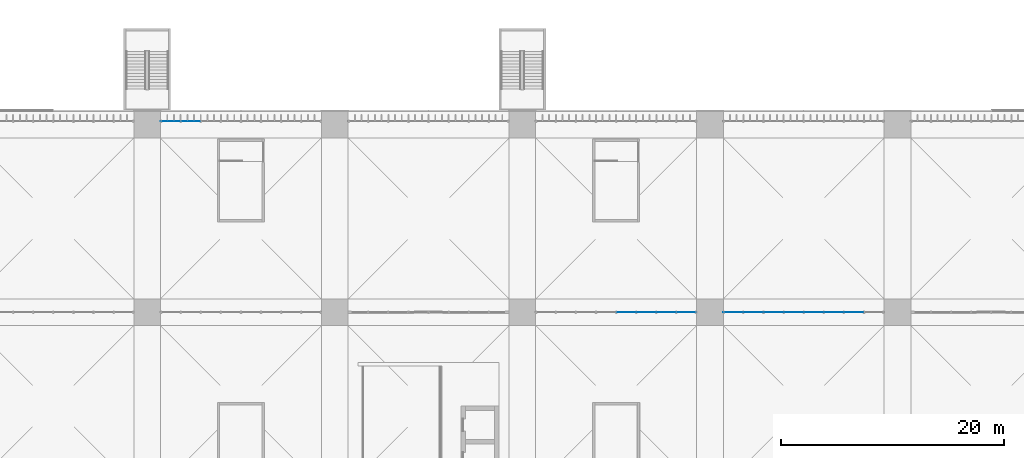
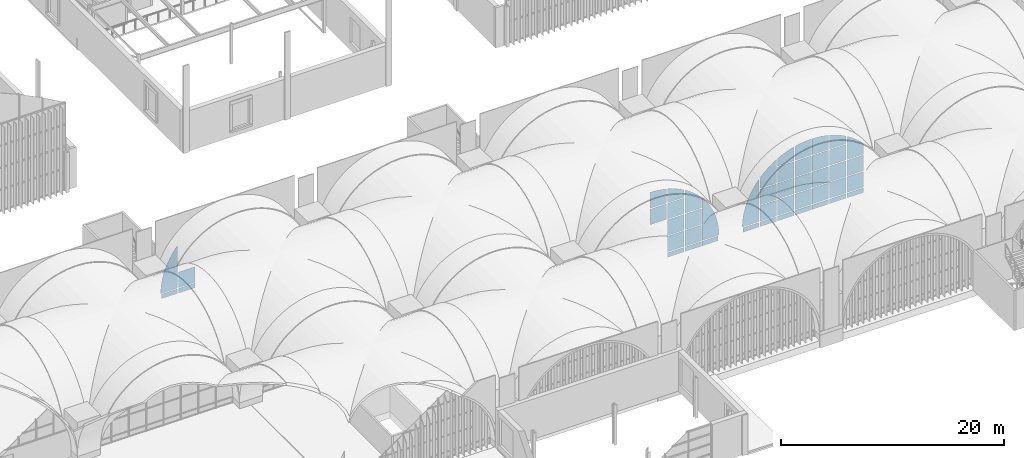
# One storey, part 85 of 169: 47 plates, 3 elements without a shape of their own.
"""IFC4 building model written with IfcOpenShell, lengths in metres."""

import ifcopenshell
import ifcopenshell.guid

model = None  # the IFC model being written
_history = None  # IfcOwnerHistory: only IFC2X3 demands one
_inside = {}  # id of a spatial element -> (the spatial element, [elements in it])
_under = {}  # id of a project, library or spatial element -> (it, [spatial elements below it])
_declared = {}  # id of a project -> (the project, [libraries it declares])
_typed = {}  # id of a type object -> (the type object, [elements of that type])
_made_of = {}  # id of a material, layer set ... -> (it, [elements and type objects made of it])


def new_model(schema):
    """Start an empty IFC model of exactly this schema.

    Asked for "IFC4X3", IfcOpenShell would pick the latest addendum, in which some entities
    have other attributes; the version numbers below select the first issue.
    IFC2X3 requires an IfcOwnerHistory on every rooted entity: one is made here for all.
    """
    global model, _history
    if schema == "IFC4X3":
        model = ifcopenshell.file(schema_version=(4, 3, 0, 0))
    else:
        model = ifcopenshell.file(schema=schema)
    _inside.clear()
    _under.clear()
    _declared.clear()
    _typed.clear()
    _made_of.clear()
    _history = None
    if model.schema == "IFC2X3":
        org = make("IfcOrganization", Name="unknown")
        user = make(
            "IfcPersonAndOrganization",
            ThePerson=make("IfcPerson", FamilyName="unknown"),
            TheOrganization=org,
        )
        app = make(
            "IfcApplication",
            ApplicationDeveloper=org,
            Version="unknown",
            ApplicationFullName="unknown",
            ApplicationIdentifier="unknown",
        )
        _history = make(
            "IfcOwnerHistory",
            OwningUser=user,
            OwningApplication=app,
            ChangeAction="ADDED",
            CreationDate=0,
        )
    return model


def make(cls, **values):
    """One entity of the class cls with the attributes given. An attribute that is None is left unset."""
    return model.create_entity(
        cls, **{name: value for name, value in values.items() if value is not None}
    )


def rooted(cls, **values):
    """An entity with a GlobalId (a new one), such as an element, a storey or a relation."""
    return make(cls, GlobalId=ifcopenshell.guid.new(), OwnerHistory=_history, **values)


def si_unit(unit_type, name, prefix=None):
    """IfcSIUnit, for example si_unit("LENGTHUNIT", "METRE", prefix="MILLI")."""
    return make("IfcSIUnit", UnitType=unit_type, Prefix=prefix, Name=name)


def assignment(units):
    """IfcUnitAssignment: the units of a project."""
    return None if units is None else make("IfcUnitAssignment", Units=units)


def point(xyz):
    """IfcCartesianPoint."""
    return None if xyz is None else make("IfcCartesianPoint", Coordinates=xyz)


def direction(xyz):
    """IfcDirection."""
    return None if xyz is None else make("IfcDirection", DirectionRatios=xyz)


def frame(location, z_axis=None, x_axis=None):
    """IfcAxis2Placement3D, a coordinate frame: its origin and axes. An axis left out is left unset."""
    return make(
        "IfcAxis2Placement3D",
        Location=point(location),
        Axis=direction(z_axis),
        RefDirection=direction(x_axis),
    )


def origin():
    """The frame at (0, 0, 0) with its axes left unset."""
    return frame((0.0, 0.0, 0.0))


def place(relative_to, where):
    """IfcLocalPlacement: puts the frame where relative to a parent placement (None: the world)."""
    return make(
        "IfcLocalPlacement", PlacementRelTo=relative_to, RelativePlacement=where
    )


def context(
    kind, dimensions, precision=None, world=None, true_north=None, identifier=None
):
    """IfcGeometricRepresentationContext, for example the 3D "Model" context."""
    return make(
        "IfcGeometricRepresentationContext",
        ContextIdentifier=identifier,
        ContextType=kind,
        CoordinateSpaceDimension=dimensions,
        Precision=precision,
        WorldCoordinateSystem=world,
        TrueNorth=true_north,
    )


def subcontext(parent, identifier, kind, view, scale=None):
    """IfcGeometricRepresentationSubContext, for example "Body" below "Model"."""
    return make(
        "IfcGeometricRepresentationSubContext",
        ContextIdentifier=identifier,
        ContextType=kind,
        ParentContext=parent,
        TargetScale=scale,
        TargetView=view,
    )


def project(units=None, contexts=None):
    """IfcProject with its units and contexts."""
    return rooted(
        "IfcProject",
        Name="project",
        RepresentationContexts=contexts,
        UnitsInContext=assignment(units),
    )


def spatial(cls, under=None, at=None, **own):
    """A site, building, storey or space (cls), placed at a placement, below another one or the project."""
    s = rooted(cls, ObjectPlacement=at, **own)
    if under is not None:
        _under.setdefault(under.id(), (under, []))[1].append(s)
    return s


def polyline(points):
    """IfcPolyline through the points."""
    return make("IfcPolyline", Points=[point(p) for p in points])


def outline(outer, holes=None, kind="AREA"):
    """IfcArbitraryClosedProfileDef: a profile drawn as a closed curve; with holes, ...WithVoids."""
    if holes is None:
        return make("IfcArbitraryClosedProfileDef", ProfileType=kind, OuterCurve=outer)
    return make(
        "IfcArbitraryProfileDefWithVoids",
        ProfileType=kind,
        OuterCurve=outer,
        InnerCurves=holes,
    )


def extrude(swept, where, along, depth):
    """IfcExtrudedAreaSolid: the profile swept, set in the frame where, extruded along a direction by depth."""
    return make(
        "IfcExtrudedAreaSolid",
        SweptArea=swept,
        Position=where,
        ExtrudedDirection=direction(along),
        Depth=depth,
    )


def shape(context_of_items, identifier, shape_type, items):
    """IfcShapeRepresentation: the items that make up one representation, for example the "Body"."""
    return make(
        "IfcShapeRepresentation",
        ContextOfItems=context_of_items,
        RepresentationIdentifier=identifier,
        RepresentationType=shape_type,
        Items=items,
    )


def material(Name=None, Category=None):
    """IfcMaterial."""
    return make("IfcMaterial", Name=Name, Category=Category)


def layer(
    of_material, thickness, ventilated=None, Name=None, Category=None, Priority=None
):
    """IfcMaterialLayer: one layer of a wall or slab, of a material (None: an air gap)."""
    return make(
        "IfcMaterialLayer",
        Material=of_material,
        LayerThickness=thickness,
        IsVentilated=ventilated,
        Name=Name,
        Category=Category,
        Priority=Priority,
    )


def layer_set(layers, Name=None):
    """IfcMaterialLayerSet."""
    return make("IfcMaterialLayerSet", MaterialLayers=layers, LayerSetName=Name)


def made_of(thing, what):
    """Note that an element or type object is made of a material, layer set ...; save() writes the relation."""
    if what is not None:
        _made_of.setdefault(what.id(), (what, []))[1].append(thing)
    return thing


def type_object(cls, material=None, **own):
    """A type object (cls), such as IfcWallType, which elements share."""
    return made_of(rooted(cls, **own), material)


def element(
    cls,
    number,
    at=None,
    inside=None,
    cuts=None,
    type_object=None,
    material=None,
    context=None,
    identifier="Body",
    shape_type=None,
    held_by="IfcProductDefinitionShape",
    body=None,
    shapes=None,
    **own,
):
    """One element of the class cls, such as IfcWall. Its Tag is "e" and its number.

    at: its placement. inside: the storey or other place that contains it. cuts: it is an
    opening in that element (IfcRelVoidsElement). A single representation is given by context,
    identifier, shape_type and body (its items); several are given by shapes. held_by: the class
    of the entity that holds the representations. save() writes the other relations.
    """
    e = rooted(cls, Tag="e%d" % number, ObjectPlacement=at, **own)
    if body is not None:
        shapes = [shape(context, identifier, shape_type, body)]
    if shapes is not None:
        e.Representation = make(held_by, Representations=shapes)
    if inside is not None:
        _inside.setdefault(inside.id(), (inside, []))[1].append(e)
    if cuts is not None:
        rooted(
            "IfcRelVoidsElement", RelatingBuildingElement=cuts, RelatedOpeningElement=e
        )
    if type_object is not None:
        _typed.setdefault(type_object.id(), (type_object, []))[1].append(e)
    return made_of(e, material)


def aggregate(whole, parts):
    """IfcRelAggregates: a whole, such as a stair, and the parts it consists of."""
    return rooted("IfcRelAggregates", RelatingObject=whole, RelatedObjects=parts)


def save(model, path):
    """Write the relations noted so far, then the file.

    IfcRelAggregates (storeys below a building ...), IfcRelContainedInSpatialStructure (elements
    in a storey), IfcRelDefinesByType, IfcRelAssociatesMaterial and IfcRelDeclares: one each for
    every whole, place, type object, material and project.
    """
    for whole, parts in _under.values():
        aggregate(whole, parts)
    for where, things in _inside.values():
        rooted(
            "IfcRelContainedInSpatialStructure",
            RelatedElements=things,
            RelatingStructure=where,
        )
    for kind, things in _typed.values():
        rooted("IfcRelDefinesByType", RelatedObjects=things, RelatingType=kind)
    for what, things in _made_of.values():
        rooted("IfcRelAssociatesMaterial", RelatedObjects=things, RelatingMaterial=what)
    for by, libraries in _declared.values():
        rooted("IfcRelDeclares", RelatingContext=by, RelatedDefinitions=libraries)
    model.write(path)


model = new_model("IFC4")

# Units and contexts
model_context = context("Model", 3, precision=1e-05, world=origin(), true_north=direction((0.0, 1.0)))
body_context = subcontext(model_context, "Body", "Model", "MODEL_VIEW")
ifc_project = project(units=[si_unit("LENGTHUNIT", "METRE"), si_unit("AREAUNIT", "SQUARE_METRE"), si_unit("VOLUMEUNIT", "CUBIC_METRE"), si_unit("PLANEANGLEUNIT", "RADIAN"), si_unit("MASSUNIT", "GRAM", prefix="KILO")], contexts=[model_context])

# Site, building, storey
site_placement = place(None, origin())
site = spatial("IfcSite", under=ifc_project, at=site_placement, CompositionType="ELEMENT")
building_placement = place(site_placement, origin())
building = spatial("IfcBuilding", under=site, at=building_placement, Name="Verrick Yard Athletic Hall", CompositionType="ELEMENT")
storey_placement = place(building_placement, frame((0.0, 0.0, 4.39990234375)))
storey = spatial("IfcBuildingStorey", under=building, at=storey_placement, Name="L01", CompositionType="ELEMENT", Elevation=4.39990234375)

# Curtain wall, plates
ifc_material_1 = material(Name="Aluminium and glass curtain wall", Category="aluminium")
ifc_layer_1 = layer(ifc_material_1, 0.14990234375)
ifc_layer_set_1 = layer_set([ifc_layer_1], Name="Arcade glazing arch")
curtain_wall_type_1 = type_object("IfcCurtainWallType", Name="Arcade glazing arch", PredefinedType="NOTDEFINED", material=ifc_layer_set_1)
curtain_wall_1_placement = place(storey_placement, origin())
curtain_wall_1 = element("IfcCurtainWall", 1, at=curtain_wall_1_placement, inside=storey, type_object=curtain_wall_type_1, Name="Arcade glazing N3", PredefinedType="NOTDEFINED")
ifc_material_2 = material(Name="Laminated glass 28 mm", Category="glass")
ifc_layer_2 = layer(ifc_material_2, 0.028076171875)
ifc_layer_set_2 = layer_set([ifc_layer_2], Name="Curtain wall glass panel")
plate_type = type_object("IfcPlateType", Name="Curtain wall glass panel", PredefinedType="CURTAIN_PANEL", material=ifc_layer_set_2)
plate_1_placement = place(storey_placement, frame((74.800048828125, 53.10009765625, 0.101806640625), z_axis=(0.0, 0.0, 1.0), x_axis=(1.0, 0.0, 0.0)))
plate_1 = element("IfcPlate", 2, at=plate_1_placement, type_object=plate_type, Name="Arcade glazing N3 panel 1", PredefinedType="CURTAIN_PANEL", context=body_context, shape_type="SweptSolid", body=[
    extrude(outline(polyline([(1.749267578125, 0.0), (1.749267578125, 0.49755859375), (0.10205078125, 0.49755859375), (0.10205078125, 0.0), (1.749267578125, 0.0)])), frame((0.0, 0.01416015625, 0.0), z_axis=(0.0, -1.0, 0.0), x_axis=(1.0, 0.0, 0.0)), (0.0, 0.0, 1.0), 0.028076171875),
])
plate_2_placement = place(storey_placement, frame((74.800048828125, 53.10009765625, 0.700927734375), z_axis=(0.0, 0.0, 1.0), x_axis=(1.0, 0.0, 0.0)))
plate_2 = element("IfcPlate", 3, at=plate_2_placement, type_object=plate_type, Name="Arcade glazing N3 panel 2", PredefinedType="CURTAIN_PANEL", context=body_context, shape_type="SweptSolid", body=[
    extrude(outline(polyline([(1.749267578125, 4.651123046875), (1.6845703125, 4.5771484375), (1.48779296875, 4.332275390625), (1.302001953125, 4.078857421875), (1.127685546875, 3.81787109375), (0.964599609375, 3.549072265625), (0.8134765625, 3.273681640625), (0.674560546875, 2.9921875), (0.548095703125, 2.70458984375), (0.43408203125, 2.41162109375), (0.333251953125, 2.1142578125), (0.245361328125, 1.812744140625), (0.170654296875, 1.507568359375), (0.109375, 1.199462890625), (0.0615234375, 0.888916015625), (0.02734375, 0.57666015625), (0.0068359375, 0.26318359375), (0.001220703125, 0.0), (1.749267578125, 0.0), (1.749267578125, 4.651123046875)])), frame((0.0, 0.01416015625, 0.0), z_axis=(0.0, -1.0, 0.0), x_axis=(1.0, 0.0, 0.0)), (0.0, 0.0, 1.0), 0.028076171875),
])
plate_3_placement = place(storey_placement, frame((74.800048828125, 53.10009765625, 0.101806640625), z_axis=(0.0, 0.0, 1.0), x_axis=(1.0, 0.0, 0.0)))
plate_3 = element("IfcPlate", 4, at=plate_3_placement, type_object=plate_type, Name="Arcade glazing N3 panel 3", PredefinedType="CURTAIN_PANEL", context=body_context, shape_type="SweptSolid", body=[
    extrude(outline(polyline([(3.54931640625, 0.0), (3.54931640625, 0.49755859375), (1.850830078125, 0.49755859375), (1.850830078125, 0.0), (3.54931640625, 0.0)])), frame((0.0, 0.01416015625, 0.0), z_axis=(0.0, -1.0, 0.0), x_axis=(1.0, 0.0, 0.0)), (0.0, 0.0, 1.0), 0.028076171875),
])
plate_4_placement = place(storey_placement, frame((74.800048828125, 53.10009765625, 0.700927734375), z_axis=(0.0, 0.0, 1.0), x_axis=(1.0, 0.0, 0.0)))
plate_4 = element("IfcPlate", 5, at=plate_4_placement, type_object=plate_type, Name="Arcade glazing N3 panel 4", PredefinedType="CURTAIN_PANEL", context=body_context, shape_type="SweptSolid", body=[
    extrude(outline(polyline([(3.54931640625, 0.0), (3.54931640625, 1.698486328125), (1.850830078125, 1.698486328125), (1.850830078125, 0.0), (3.54931640625, 0.0)])), frame((0.0, 0.01416015625, 0.0), z_axis=(0.0, -1.0, 0.0), x_axis=(1.0, 0.0, 0.0)), (0.0, 0.0, 1.0), 0.028076171875),
])
aggregate(curtain_wall_1, [plate_1, plate_2, plate_3, plate_4])

ifc_layer_3 = layer(ifc_material_1, 0.14990234375)
ifc_layer_set_3 = layer_set([ifc_layer_3], Name="Concourse arch screen")
curtain_wall_type_2 = type_object("IfcCurtainWallType", Name="Concourse arch screen", PredefinedType="NOTDEFINED", material=ifc_layer_set_3)
curtain_wall_2_placement = place(storey_placement, origin())
curtain_wall_2 = element("IfcCurtainWall", 6, at=curtain_wall_2_placement, inside=storey, type_object=curtain_wall_type_2, Name="Concourse screen 5", PredefinedType="NOTDEFINED")
plate_5_placement = place(storey_placement, frame((108.39990234375, 36.0, 4.30078125), z_axis=(0.0, 0.0, 1.0), x_axis=(1.0, 0.0, 0.0)))
plate_5 = element("IfcPlate", 7, at=plate_5_placement, type_object=plate_type, Name="Concourse screen 5 panel 20", PredefinedType="CURTAIN_PANEL", context=body_context, shape_type="SweptSolid", body=[
    extrude(outline(polyline([(8.94921875, 0.0), (8.94921875, 1.698486328125), (7.250732421875, 1.698486328125), (7.250732421875, 0.0), (8.94921875, 0.0)])), frame((0.0, 0.01416015625, 0.0), z_axis=(0.0, -1.0, 0.0), x_axis=(1.0, 0.0, 0.0)), (0.0, 0.0, 1.0), 0.028076171875),
])
plate_6_placement = place(storey_placement, frame((108.39990234375, 36.0, 6.100830078125), z_axis=(0.0, 0.0, 1.0), x_axis=(1.0, 0.0, 0.0)))
plate_6 = element("IfcPlate", 8, at=plate_6_placement, type_object=plate_type, Name="Concourse screen 5 panel 21", PredefinedType="CURTAIN_PANEL", context=body_context, shape_type="SweptSolid", body=[
    extrude(outline(polyline([(8.94921875, 1.531982421875), (8.75830078125, 1.57861328125), (8.4501953125, 1.639892578125), (8.139892578125, 1.687744140625), (7.827392578125, 1.721923828125), (7.51416015625, 1.742431640625), (7.250732421875, 1.748046875), (7.250732421875, 0.0), (8.94921875, 0.0), (8.94921875, 1.531982421875)])), frame((0.0, 0.01416015625, 0.0), z_axis=(0.0, -1.0, 0.0), x_axis=(1.0, 0.0, 0.0)), (0.0, 0.0, 1.0), 0.028076171875),
])
plate_7_placement = place(storey_placement, frame((108.39990234375, 36.0, 0.101806640625), z_axis=(0.0, 0.0, 1.0), x_axis=(1.0, 0.0, 0.0)))
plate_7 = element("IfcPlate", 9, at=plate_7_placement, type_object=plate_type, Name="Concourse screen 5 panel 22", PredefinedType="CURTAIN_PANEL", context=body_context, shape_type="SweptSolid", body=[
    extrude(outline(polyline([(10.749267578125, 0.0), (10.749267578125, 0.49755859375), (9.05078125, 0.49755859375), (9.05078125, 0.0), (10.749267578125, 0.0)])), frame((0.0, 0.01416015625, 0.0), z_axis=(0.0, -1.0, 0.0), x_axis=(1.0, 0.0, 0.0)), (0.0, 0.0, 1.0), 0.028076171875),
])
plate_8_placement = place(storey_placement, frame((108.39990234375, 36.0, 0.700927734375), z_axis=(0.0, 0.0, 1.0), x_axis=(1.0, 0.0, 0.0)))
plate_8 = element("IfcPlate", 10, at=plate_8_placement, type_object=plate_type, Name="Concourse screen 5 panel 23", PredefinedType="CURTAIN_PANEL", context=body_context, shape_type="SweptSolid", body=[
    extrude(outline(polyline([(10.749267578125, 0.0), (10.749267578125, 1.698486328125), (9.05078125, 1.698486328125), (9.05078125, 0.0), (10.749267578125, 0.0)])), frame((0.0, 0.01416015625, 0.0), z_axis=(0.0, -1.0, 0.0), x_axis=(1.0, 0.0, 0.0)), (0.0, 0.0, 1.0), 0.028076171875),
])
plate_9_placement = place(storey_placement, frame((108.39990234375, 36.0, 2.5009765625), z_axis=(0.0, 0.0, 1.0), x_axis=(1.0, 0.0, 0.0)))
plate_9 = element("IfcPlate", 11, at=plate_9_placement, type_object=plate_type, Name="Concourse screen 5 panel 24", PredefinedType="CURTAIN_PANEL", context=body_context, shape_type="SweptSolid", body=[
    extrude(outline(polyline([(10.749267578125, 0.0), (10.749267578125, 1.6982421875), (9.05078125, 1.6982421875), (9.05078125, 0.0), (10.749267578125, 0.0)])), frame((0.0, 0.01416015625, 0.0), z_axis=(0.0, -1.0, 0.0), x_axis=(1.0, 0.0, 0.0)), (0.0, 0.0, 1.0), 0.028076171875),
])
plate_10_placement = place(storey_placement, frame((108.39990234375, 36.0, 4.30078125), z_axis=(0.0, 0.0, 1.0), x_axis=(1.0, 0.0, 0.0)))
plate_10 = element("IfcPlate", 12, at=plate_10_placement, type_object=plate_type, Name="Concourse screen 5 panel 25", PredefinedType="CURTAIN_PANEL", context=body_context, shape_type="SweptSolid", body=[
    extrude(outline(polyline([(10.749267578125, 0.0), (10.749267578125, 1.698486328125), (9.05078125, 1.698486328125), (9.05078125, 0.0), (10.749267578125, 0.0)])), frame((0.0, 0.01416015625, 0.0), z_axis=(0.0, -1.0, 0.0), x_axis=(1.0, 0.0, 0.0)), (0.0, 0.0, 1.0), 0.028076171875),
])
plate_11_placement = place(storey_placement, frame((108.39990234375, 36.0, 6.100830078125), z_axis=(0.0, 0.0, 1.0), x_axis=(1.0, 0.0, 0.0)))
plate_11 = element("IfcPlate", 13, at=plate_11_placement, type_object=plate_type, Name="Concourse screen 5 panel 26", PredefinedType="CURTAIN_PANEL", context=body_context, shape_type="SweptSolid", body=[
    extrude(outline(polyline([(10.749267578125, 0.8125), (10.524658203125, 0.935791015625), (10.242919921875, 1.07470703125), (9.955322265625, 1.201171875), (9.66259765625, 1.315185546875), (9.364990234375, 1.416015625), (9.0634765625, 1.50390625), (9.05078125, 1.507080078125), (9.05078125, 0.0), (10.749267578125, 0.0), (10.749267578125, 0.8125)])), frame((0.0, 0.01416015625, 0.0), z_axis=(0.0, -1.0, 0.0), x_axis=(1.0, 0.0, 0.0)), (0.0, 0.0, 1.0), 0.028076171875),
])
plate_12_placement = place(storey_placement, frame((108.39990234375, 36.0, 0.101806640625), z_axis=(0.0, 0.0, 1.0), x_axis=(1.0, 0.0, 0.0)))
plate_12 = element("IfcPlate", 14, at=plate_12_placement, type_object=plate_type, Name="Concourse screen 5 panel 27", PredefinedType="CURTAIN_PANEL", context=body_context, shape_type="SweptSolid", body=[
    extrude(outline(polyline([(12.54931640625, 0.0), (12.54931640625, 0.49755859375), (10.850830078125, 0.49755859375), (10.850830078125, 0.0), (12.54931640625, 0.0)])), frame((0.0, 0.01416015625, 0.0), z_axis=(0.0, -1.0, 0.0), x_axis=(1.0, 0.0, 0.0)), (0.0, 0.0, 1.0), 0.028076171875),
])
plate_13_placement = place(storey_placement, frame((108.39990234375, 36.0, 0.700927734375), z_axis=(0.0, 0.0, 1.0), x_axis=(1.0, 0.0, 0.0)))
plate_13 = element("IfcPlate", 15, at=plate_13_placement, type_object=plate_type, Name="Concourse screen 5 panel 28", PredefinedType="CURTAIN_PANEL", context=body_context, shape_type="SweptSolid", body=[
    extrude(outline(polyline([(12.54931640625, 0.0), (12.54931640625, 1.698486328125), (10.850830078125, 1.698486328125), (10.850830078125, 0.0), (12.54931640625, 0.0)])), frame((0.0, 0.01416015625, 0.0), z_axis=(0.0, -1.0, 0.0), x_axis=(1.0, 0.0, 0.0)), (0.0, 0.0, 1.0), 0.028076171875),
])
plate_14_placement = place(storey_placement, frame((108.39990234375, 36.0, 2.5009765625), z_axis=(0.0, 0.0, 1.0), x_axis=(1.0, 0.0, 0.0)))
plate_14 = element("IfcPlate", 16, at=plate_14_placement, type_object=plate_type, Name="Concourse screen 5 panel 29", PredefinedType="CURTAIN_PANEL", context=body_context, shape_type="SweptSolid", body=[
    extrude(outline(polyline([(12.54931640625, 0.0), (12.54931640625, 1.6982421875), (10.850830078125, 1.6982421875), (10.850830078125, 0.0), (12.54931640625, 0.0)])), frame((0.0, 0.01416015625, 0.0), z_axis=(0.0, -1.0, 0.0), x_axis=(1.0, 0.0, 0.0)), (0.0, 0.0, 1.0), 0.028076171875),
])
plate_15_placement = place(storey_placement, frame((108.39990234375, 36.0, 4.30078125), z_axis=(0.0, 0.0, 1.0), x_axis=(1.0, 0.0, 0.0)))
plate_15 = element("IfcPlate", 17, at=plate_15_placement, type_object=plate_type, Name="Concourse screen 5 panel 30", PredefinedType="CURTAIN_PANEL", context=body_context, shape_type="SweptSolid", body=[
    extrude(outline(polyline([(12.54931640625, 1.1669921875), (12.50830078125, 1.213623046875), (12.291259765625, 1.4404296875), (12.064208984375, 1.65771484375), (11.828125, 1.86474609375), (11.5830078125, 2.0615234375), (11.329833984375, 2.247314453125), (11.068603515625, 2.421630859375), (10.850830078125, 2.553955078125), (10.850830078125, 0.0), (12.54931640625, 0.0), (12.54931640625, 1.1669921875)])), frame((0.0, 0.01416015625, 0.0), z_axis=(0.0, -1.0, 0.0), x_axis=(1.0, 0.0, 0.0)), (0.0, 0.0, 1.0), 0.028076171875),
])
plate_16_placement = place(storey_placement, frame((108.39990234375, 36.0, 0.101806640625), z_axis=(0.0, 0.0, 1.0), x_axis=(1.0, 0.0, 0.0)))
plate_16 = element("IfcPlate", 18, at=plate_16_placement, type_object=plate_type, Name="Concourse screen 5 panel 31", PredefinedType="CURTAIN_PANEL", context=body_context, shape_type="SweptSolid", body=[
    extrude(outline(polyline([(14.2978515625, 0.0), (14.2978515625, 0.49755859375), (12.65087890625, 0.49755859375), (12.65087890625, 0.0), (14.2978515625, 0.0)])), frame((0.0, 0.01416015625, 0.0), z_axis=(0.0, -1.0, 0.0), x_axis=(1.0, 0.0, 0.0)), (0.0, 0.0, 1.0), 0.028076171875),
])
plate_17_placement = place(storey_placement, frame((108.39990234375, 36.0, 0.700927734375), z_axis=(0.0, 0.0, 1.0), x_axis=(1.0, 0.0, 0.0)))
plate_17 = element("IfcPlate", 19, at=plate_17_placement, type_object=plate_type, Name="Concourse screen 5 panel 32", PredefinedType="CURTAIN_PANEL", context=body_context, shape_type="SweptSolid", body=[
    extrude(outline(polyline([(14.39892578125, 0.0), (14.39306640625, 0.26318359375), (14.37255859375, 0.57666015625), (14.33837890625, 0.888916015625), (14.29052734375, 1.199462890625), (14.229248046875, 1.507568359375), (14.15478515625, 1.812744140625), (14.06689453125, 2.1142578125), (13.9658203125, 2.41162109375), (13.851806640625, 2.70458984375), (13.725341796875, 2.9921875), (13.58642578125, 3.273681640625), (13.435302734375, 3.549072265625), (13.2724609375, 3.81787109375), (13.097900390625, 4.078857421875), (12.912109375, 4.332275390625), (12.715576171875, 4.5771484375), (12.65087890625, 4.651123046875), (12.65087890625, 0.0), (14.39892578125, 0.0)])), frame((0.0, 0.01416015625, 0.0), z_axis=(0.0, -1.0, 0.0), x_axis=(1.0, 0.0, 0.0)), (0.0, 0.0, 1.0), 0.028076171875),
])
aggregate(curtain_wall_2, [plate_5, plate_6, plate_7, plate_8, plate_9, plate_10, plate_11, plate_12, plate_13, plate_14, plate_15, plate_16, plate_17])

curtain_wall_3_placement = place(storey_placement, origin())
curtain_wall_3 = element("IfcCurtainWall", 20, at=curtain_wall_3_placement, inside=storey, type_object=curtain_wall_type_2, Name="Concourse screen 6", PredefinedType="NOTDEFINED")
plate_18_placement = place(storey_placement, frame((125.199951171875, 36.0, 0.101806640625), z_axis=(0.0, 0.0, 1.0), x_axis=(1.0, 0.0, 0.0)))
plate_18 = element("IfcPlate", 21, at=plate_18_placement, type_object=plate_type, Name="Concourse screen 6 panel 1", PredefinedType="CURTAIN_PANEL", context=body_context, shape_type="SweptSolid", body=[
    extrude(outline(polyline([(1.749267578125, 0.0), (1.749267578125, 0.49755859375), (0.10205078125, 0.49755859375), (0.10205078125, 0.0), (1.749267578125, 0.0)])), frame((0.0, 0.01416015625, 0.0), z_axis=(0.0, -1.0, 0.0), x_axis=(1.0, 0.0, 0.0)), (0.0, 0.0, 1.0), 0.028076171875),
])
plate_19_placement = place(storey_placement, frame((125.199951171875, 36.0, 0.700927734375), z_axis=(0.0, 0.0, 1.0), x_axis=(1.0, 0.0, 0.0)))
plate_19 = element("IfcPlate", 22, at=plate_19_placement, type_object=plate_type, Name="Concourse screen 6 panel 2", PredefinedType="CURTAIN_PANEL", context=body_context, shape_type="SweptSolid", body=[
    extrude(outline(polyline([(1.749267578125, 4.651123046875), (1.6845703125, 4.5771484375), (1.48779296875, 4.332275390625), (1.302001953125, 4.078857421875), (1.127685546875, 3.81787109375), (0.964599609375, 3.549072265625), (0.8134765625, 3.273681640625), (0.674560546875, 2.9921875), (0.548095703125, 2.70458984375), (0.43408203125, 2.41162109375), (0.333251953125, 2.1142578125), (0.245361328125, 1.812744140625), (0.170654296875, 1.507568359375), (0.109375, 1.199462890625), (0.0615234375, 0.888916015625), (0.02734375, 0.57666015625), (0.0068359375, 0.26318359375), (0.001220703125, 0.0), (1.749267578125, 0.0), (1.749267578125, 4.651123046875)])), frame((0.0, 0.01416015625, 0.0), z_axis=(0.0, -1.0, 0.0), x_axis=(1.0, 0.0, 0.0)), (0.0, 0.0, 1.0), 0.028076171875),
])
plate_20_placement = place(storey_placement, frame((125.199951171875, 36.0, 0.101806640625), z_axis=(0.0, 0.0, 1.0), x_axis=(1.0, 0.0, 0.0)))
plate_20 = element("IfcPlate", 23, at=plate_20_placement, type_object=plate_type, Name="Concourse screen 6 panel 3", PredefinedType="CURTAIN_PANEL", context=body_context, shape_type="SweptSolid", body=[
    extrude(outline(polyline([(3.54931640625, 0.0), (3.54931640625, 0.49755859375), (1.850830078125, 0.49755859375), (1.850830078125, 0.0), (3.54931640625, 0.0)])), frame((0.0, 0.01416015625, 0.0), z_axis=(0.0, -1.0, 0.0), x_axis=(1.0, 0.0, 0.0)), (0.0, 0.0, 1.0), 0.028076171875),
])
plate_21_placement = place(storey_placement, frame((125.199951171875, 36.0, 0.700927734375), z_axis=(0.0, 0.0, 1.0), x_axis=(1.0, 0.0, 0.0)))
plate_21 = element("IfcPlate", 24, at=plate_21_placement, type_object=plate_type, Name="Concourse screen 6 panel 4", PredefinedType="CURTAIN_PANEL", context=body_context, shape_type="SweptSolid", body=[
    extrude(outline(polyline([(3.54931640625, 0.0), (3.54931640625, 1.698486328125), (1.850830078125, 1.698486328125), (1.850830078125, 0.0), (3.54931640625, 0.0)])), frame((0.0, 0.01416015625, 0.0), z_axis=(0.0, -1.0, 0.0), x_axis=(1.0, 0.0, 0.0)), (0.0, 0.0, 1.0), 0.028076171875),
])
plate_22_placement = place(storey_placement, frame((125.199951171875, 36.0, 2.5009765625), z_axis=(0.0, 0.0, 1.0), x_axis=(1.0, 0.0, 0.0)))
plate_22 = element("IfcPlate", 25, at=plate_22_placement, type_object=plate_type, Name="Concourse screen 6 panel 5", PredefinedType="CURTAIN_PANEL", context=body_context, shape_type="SweptSolid", body=[
    extrude(outline(polyline([(3.54931640625, 0.0), (3.54931640625, 1.6982421875), (1.850830078125, 1.6982421875), (1.850830078125, 0.0), (3.54931640625, 0.0)])), frame((0.0, 0.01416015625, 0.0), z_axis=(0.0, -1.0, 0.0), x_axis=(1.0, 0.0, 0.0)), (0.0, 0.0, 1.0), 0.028076171875),
])
plate_23_placement = place(storey_placement, frame((125.199951171875, 36.0, 4.30078125), z_axis=(0.0, 0.0, 1.0), x_axis=(1.0, 0.0, 0.0)))
plate_23 = element("IfcPlate", 26, at=plate_23_placement, type_object=plate_type, Name="Concourse screen 6 panel 6", PredefinedType="CURTAIN_PANEL", context=body_context, shape_type="SweptSolid", body=[
    extrude(outline(polyline([(3.54931640625, 2.553955078125), (3.331298828125, 2.421630859375), (3.0703125, 2.247314453125), (2.81689453125, 2.0615234375), (2.572021484375, 1.86474609375), (2.335693359375, 1.65771484375), (2.10888671875, 1.4404296875), (1.8916015625, 1.213623046875), (1.850830078125, 1.1669921875), (1.850830078125, 0.0), (3.54931640625, 0.0), (3.54931640625, 2.553955078125)])), frame((0.0, 0.01416015625, 0.0), z_axis=(0.0, -1.0, 0.0), x_axis=(1.0, 0.0, 0.0)), (0.0, 0.0, 1.0), 0.028076171875),
])
plate_24_placement = place(storey_placement, frame((125.199951171875, 36.0, 0.101806640625), z_axis=(0.0, 0.0, 1.0), x_axis=(1.0, 0.0, 0.0)))
plate_24 = element("IfcPlate", 27, at=plate_24_placement, type_object=plate_type, Name="Concourse screen 6 panel 7", PredefinedType="CURTAIN_PANEL", context=body_context, shape_type="SweptSolid", body=[
    extrude(outline(polyline([(5.34912109375, 0.0), (5.34912109375, 0.49755859375), (3.65087890625, 0.49755859375), (3.65087890625, 0.0), (5.34912109375, 0.0)])), frame((0.0, 0.01416015625, 0.0), z_axis=(0.0, -1.0, 0.0), x_axis=(1.0, 0.0, 0.0)), (0.0, 0.0, 1.0), 0.028076171875),
])
plate_25_placement = place(storey_placement, frame((125.199951171875, 36.0, 0.700927734375), z_axis=(0.0, 0.0, 1.0), x_axis=(1.0, 0.0, 0.0)))
plate_25 = element("IfcPlate", 28, at=plate_25_placement, type_object=plate_type, Name="Concourse screen 6 panel 8", PredefinedType="CURTAIN_PANEL", context=body_context, shape_type="SweptSolid", body=[
    extrude(outline(polyline([(5.34912109375, 0.0), (5.34912109375, 1.698486328125), (3.65087890625, 1.698486328125), (3.65087890625, 0.0), (5.34912109375, 0.0)])), frame((0.0, 0.01416015625, 0.0), z_axis=(0.0, -1.0, 0.0), x_axis=(1.0, 0.0, 0.0)), (0.0, 0.0, 1.0), 0.028076171875),
])
plate_26_placement = place(storey_placement, frame((125.199951171875, 36.0, 2.5009765625), z_axis=(0.0, 0.0, 1.0), x_axis=(1.0, 0.0, 0.0)))
plate_26 = element("IfcPlate", 29, at=plate_26_placement, type_object=plate_type, Name="Concourse screen 6 panel 9", PredefinedType="CURTAIN_PANEL", context=body_context, shape_type="SweptSolid", body=[
    extrude(outline(polyline([(5.34912109375, 0.0), (5.34912109375, 1.6982421875), (3.65087890625, 1.6982421875), (3.65087890625, 0.0), (5.34912109375, 0.0)])), frame((0.0, 0.01416015625, 0.0), z_axis=(0.0, -1.0, 0.0), x_axis=(1.0, 0.0, 0.0)), (0.0, 0.0, 1.0), 0.028076171875),
])
plate_27_placement = place(storey_placement, frame((125.199951171875, 36.0, 4.30078125), z_axis=(0.0, 0.0, 1.0), x_axis=(1.0, 0.0, 0.0)))
plate_27 = element("IfcPlate", 30, at=plate_27_placement, type_object=plate_type, Name="Concourse screen 6 panel 10", PredefinedType="CURTAIN_PANEL", context=body_context, shape_type="SweptSolid", body=[
    extrude(outline(polyline([(5.34912109375, 0.0), (5.34912109375, 1.698486328125), (3.65087890625, 1.698486328125), (3.65087890625, 0.0), (5.34912109375, 0.0)])), frame((0.0, 0.01416015625, 0.0), z_axis=(0.0, -1.0, 0.0), x_axis=(1.0, 0.0, 0.0)), (0.0, 0.0, 1.0), 0.028076171875),
])
plate_28_placement = place(storey_placement, frame((125.199951171875, 36.0, 6.100830078125), z_axis=(0.0, 0.0, 1.0), x_axis=(1.0, 0.0, 0.0)))
plate_28 = element("IfcPlate", 31, at=plate_28_placement, type_object=plate_type, Name="Concourse screen 6 panel 11", PredefinedType="CURTAIN_PANEL", context=body_context, shape_type="SweptSolid", body=[
    extrude(outline(polyline([(5.34912109375, 1.507080078125), (5.33642578125, 1.50390625), (5.034912109375, 1.416015625), (4.737548828125, 1.315185546875), (4.444580078125, 1.201171875), (4.156982421875, 1.07470703125), (3.87548828125, 0.935791015625), (3.65087890625, 0.8125), (3.65087890625, 0.0), (5.34912109375, 0.0), (5.34912109375, 1.507080078125)])), frame((0.0, 0.01416015625, 0.0), z_axis=(0.0, -1.0, 0.0), x_axis=(1.0, 0.0, 0.0)), (0.0, 0.0, 1.0), 0.028076171875),
])
plate_29_placement = place(storey_placement, frame((125.199951171875, 36.0, 0.101806640625), z_axis=(0.0, 0.0, 1.0), x_axis=(1.0, 0.0, 0.0)))
plate_29 = element("IfcPlate", 32, at=plate_29_placement, type_object=plate_type, Name="Concourse screen 6 panel 12", PredefinedType="CURTAIN_PANEL", context=body_context, shape_type="SweptSolid", body=[
    extrude(outline(polyline([(7.149169921875, 0.0), (7.149169921875, 0.49755859375), (5.45068359375, 0.49755859375), (5.45068359375, 0.0), (7.149169921875, 0.0)])), frame((0.0, 0.01416015625, 0.0), z_axis=(0.0, -1.0, 0.0), x_axis=(1.0, 0.0, 0.0)), (0.0, 0.0, 1.0), 0.028076171875),
])
plate_30_placement = place(storey_placement, frame((125.199951171875, 36.0, 0.700927734375), z_axis=(0.0, 0.0, 1.0), x_axis=(1.0, 0.0, 0.0)))
plate_30 = element("IfcPlate", 33, at=plate_30_placement, type_object=plate_type, Name="Concourse screen 6 panel 13", PredefinedType="CURTAIN_PANEL", context=body_context, shape_type="SweptSolid", body=[
    extrude(outline(polyline([(7.149169921875, 0.0), (7.149169921875, 1.698486328125), (5.45068359375, 1.698486328125), (5.45068359375, 0.0), (7.149169921875, 0.0)])), frame((0.0, 0.01416015625, 0.0), z_axis=(0.0, -1.0, 0.0), x_axis=(1.0, 0.0, 0.0)), (0.0, 0.0, 1.0), 0.028076171875),
])
plate_31_placement = place(storey_placement, frame((125.199951171875, 36.0, 2.5009765625), z_axis=(0.0, 0.0, 1.0), x_axis=(1.0, 0.0, 0.0)))
plate_31 = element("IfcPlate", 34, at=plate_31_placement, type_object=plate_type, Name="Concourse screen 6 panel 14", PredefinedType="CURTAIN_PANEL", context=body_context, shape_type="SweptSolid", body=[
    extrude(outline(polyline([(7.149169921875, 0.0), (7.149169921875, 1.6982421875), (5.45068359375, 1.6982421875), (5.45068359375, 0.0), (7.149169921875, 0.0)])), frame((0.0, 0.01416015625, 0.0), z_axis=(0.0, -1.0, 0.0), x_axis=(1.0, 0.0, 0.0)), (0.0, 0.0, 1.0), 0.028076171875),
])
plate_32_placement = place(storey_placement, frame((125.199951171875, 36.0, 4.30078125), z_axis=(0.0, 0.0, 1.0), x_axis=(1.0, 0.0, 0.0)))
plate_32 = element("IfcPlate", 35, at=plate_32_placement, type_object=plate_type, Name="Concourse screen 6 panel 15", PredefinedType="CURTAIN_PANEL", context=body_context, shape_type="SweptSolid", body=[
    extrude(outline(polyline([(7.149169921875, 0.0), (7.149169921875, 1.698486328125), (5.45068359375, 1.698486328125), (5.45068359375, 0.0), (7.149169921875, 0.0)])), frame((0.0, 0.01416015625, 0.0), z_axis=(0.0, -1.0, 0.0), x_axis=(1.0, 0.0, 0.0)), (0.0, 0.0, 1.0), 0.028076171875),
])
plate_33_placement = place(storey_placement, frame((125.199951171875, 36.0, 6.100830078125), z_axis=(0.0, 0.0, 1.0), x_axis=(1.0, 0.0, 0.0)))
plate_33 = element("IfcPlate", 36, at=plate_33_placement, type_object=plate_type, Name="Concourse screen 6 panel 16", PredefinedType="CURTAIN_PANEL", context=body_context, shape_type="SweptSolid", body=[
    extrude(outline(polyline([(7.149169921875, 1.748046875), (6.885986328125, 1.742431640625), (6.572509765625, 1.721923828125), (6.26025390625, 1.687744140625), (5.94970703125, 1.639892578125), (5.6416015625, 1.57861328125), (5.45068359375, 1.531982421875), (5.45068359375, 0.0), (7.149169921875, 0.0), (7.149169921875, 1.748046875)])), frame((0.0, 0.01416015625, 0.0), z_axis=(0.0, -1.0, 0.0), x_axis=(1.0, 0.0, 0.0)), (0.0, 0.0, 1.0), 0.028076171875),
])
plate_34_placement = place(storey_placement, frame((125.199951171875, 36.0, 0.101806640625), z_axis=(0.0, 0.0, 1.0), x_axis=(1.0, 0.0, 0.0)))
plate_34 = element("IfcPlate", 37, at=plate_34_placement, type_object=plate_type, Name="Concourse screen 6 panel 17", PredefinedType="CURTAIN_PANEL", context=body_context, shape_type="SweptSolid", body=[
    extrude(outline(polyline([(8.94921875, 0.0), (8.94921875, 0.49755859375), (7.250732421875, 0.49755859375), (7.250732421875, 0.0), (8.94921875, 0.0)])), frame((0.0, 0.01416015625, 0.0), z_axis=(0.0, -1.0, 0.0), x_axis=(1.0, 0.0, 0.0)), (0.0, 0.0, 1.0), 0.028076171875),
])
plate_35_placement = place(storey_placement, frame((125.199951171875, 36.0, 0.700927734375), z_axis=(0.0, 0.0, 1.0), x_axis=(1.0, 0.0, 0.0)))
plate_35 = element("IfcPlate", 38, at=plate_35_placement, type_object=plate_type, Name="Concourse screen 6 panel 18", PredefinedType="CURTAIN_PANEL", context=body_context, shape_type="SweptSolid", body=[
    extrude(outline(polyline([(8.94921875, 0.0), (8.94921875, 1.698486328125), (7.250732421875, 1.698486328125), (7.250732421875, 0.0), (8.94921875, 0.0)])), frame((0.0, 0.01416015625, 0.0), z_axis=(0.0, -1.0, 0.0), x_axis=(1.0, 0.0, 0.0)), (0.0, 0.0, 1.0), 0.028076171875),
])
plate_36_placement = place(storey_placement, frame((125.199951171875, 36.0, 2.5009765625), z_axis=(0.0, 0.0, 1.0), x_axis=(1.0, 0.0, 0.0)))
plate_36 = element("IfcPlate", 39, at=plate_36_placement, type_object=plate_type, Name="Concourse screen 6 panel 19", PredefinedType="CURTAIN_PANEL", context=body_context, shape_type="SweptSolid", body=[
    extrude(outline(polyline([(8.94921875, 0.0), (8.94921875, 1.6982421875), (7.250732421875, 1.6982421875), (7.250732421875, 0.0), (8.94921875, 0.0)])), frame((0.0, 0.01416015625, 0.0), z_axis=(0.0, -1.0, 0.0), x_axis=(1.0, 0.0, 0.0)), (0.0, 0.0, 1.0), 0.028076171875),
])
plate_37_placement = place(storey_placement, frame((125.199951171875, 36.0, 4.30078125), z_axis=(0.0, 0.0, 1.0), x_axis=(1.0, 0.0, 0.0)))
plate_37 = element("IfcPlate", 40, at=plate_37_placement, type_object=plate_type, Name="Concourse screen 6 panel 20", PredefinedType="CURTAIN_PANEL", context=body_context, shape_type="SweptSolid", body=[
    extrude(outline(polyline([(8.94921875, 0.0), (8.94921875, 1.698486328125), (7.250732421875, 1.698486328125), (7.250732421875, 0.0), (8.94921875, 0.0)])), frame((0.0, 0.01416015625, 0.0), z_axis=(0.0, -1.0, 0.0), x_axis=(1.0, 0.0, 0.0)), (0.0, 0.0, 1.0), 0.028076171875),
])
plate_38_placement = place(storey_placement, frame((125.199951171875, 36.0, 6.100830078125), z_axis=(0.0, 0.0, 1.0), x_axis=(1.0, 0.0, 0.0)))
plate_38 = element("IfcPlate", 41, at=plate_38_placement, type_object=plate_type, Name="Concourse screen 6 panel 21", PredefinedType="CURTAIN_PANEL", context=body_context, shape_type="SweptSolid", body=[
    extrude(outline(polyline([(8.94921875, 1.531982421875), (8.75830078125, 1.57861328125), (8.4501953125, 1.639892578125), (8.139892578125, 1.687744140625), (7.827392578125, 1.721923828125), (7.51416015625, 1.742431640625), (7.250732421875, 1.748046875), (7.250732421875, 0.0), (8.94921875, 0.0), (8.94921875, 1.531982421875)])), frame((0.0, 0.01416015625, 0.0), z_axis=(0.0, -1.0, 0.0), x_axis=(1.0, 0.0, 0.0)), (0.0, 0.0, 1.0), 0.028076171875),
])
plate_39_placement = place(storey_placement, frame((125.199951171875, 36.0, 0.101806640625), z_axis=(0.0, 0.0, 1.0), x_axis=(1.0, 0.0, 0.0)))
plate_39 = element("IfcPlate", 42, at=plate_39_placement, type_object=plate_type, Name="Concourse screen 6 panel 22", PredefinedType="CURTAIN_PANEL", context=body_context, shape_type="SweptSolid", body=[
    extrude(outline(polyline([(10.749267578125, 0.0), (10.749267578125, 0.49755859375), (9.05078125, 0.49755859375), (9.05078125, 0.0), (10.749267578125, 0.0)])), frame((0.0, 0.01416015625, 0.0), z_axis=(0.0, -1.0, 0.0), x_axis=(1.0, 0.0, 0.0)), (0.0, 0.0, 1.0), 0.028076171875),
])
plate_40_placement = place(storey_placement, frame((125.199951171875, 36.0, 0.700927734375), z_axis=(0.0, 0.0, 1.0), x_axis=(1.0, 0.0, 0.0)))
plate_40 = element("IfcPlate", 43, at=plate_40_placement, type_object=plate_type, Name="Concourse screen 6 panel 23", PredefinedType="CURTAIN_PANEL", context=body_context, shape_type="SweptSolid", body=[
    extrude(outline(polyline([(10.749267578125, 0.0), (10.749267578125, 1.698486328125), (9.05078125, 1.698486328125), (9.05078125, 0.0), (10.749267578125, 0.0)])), frame((0.0, 0.01416015625, 0.0), z_axis=(0.0, -1.0, 0.0), x_axis=(1.0, 0.0, 0.0)), (0.0, 0.0, 1.0), 0.028076171875),
])
plate_41_placement = place(storey_placement, frame((125.199951171875, 36.0, 2.5009765625), z_axis=(0.0, 0.0, 1.0), x_axis=(1.0, 0.0, 0.0)))
plate_41 = element("IfcPlate", 44, at=plate_41_placement, type_object=plate_type, Name="Concourse screen 6 panel 24", PredefinedType="CURTAIN_PANEL", context=body_context, shape_type="SweptSolid", body=[
    extrude(outline(polyline([(10.749267578125, 0.0), (10.749267578125, 1.6982421875), (9.05078125, 1.6982421875), (9.05078125, 0.0), (10.749267578125, 0.0)])), frame((0.0, 0.01416015625, 0.0), z_axis=(0.0, -1.0, 0.0), x_axis=(1.0, 0.0, 0.0)), (0.0, 0.0, 1.0), 0.028076171875),
])
plate_42_placement = place(storey_placement, frame((125.199951171875, 36.0, 4.30078125), z_axis=(0.0, 0.0, 1.0), x_axis=(1.0, 0.0, 0.0)))
plate_42 = element("IfcPlate", 45, at=plate_42_placement, type_object=plate_type, Name="Concourse screen 6 panel 25", PredefinedType="CURTAIN_PANEL", context=body_context, shape_type="SweptSolid", body=[
    extrude(outline(polyline([(10.749267578125, 0.0), (10.749267578125, 1.698486328125), (9.05078125, 1.698486328125), (9.05078125, 0.0), (10.749267578125, 0.0)])), frame((0.0, 0.01416015625, 0.0), z_axis=(0.0, -1.0, 0.0), x_axis=(1.0, 0.0, 0.0)), (0.0, 0.0, 1.0), 0.028076171875),
])
plate_43_placement = place(storey_placement, frame((125.199951171875, 36.0, 6.100830078125), z_axis=(0.0, 0.0, 1.0), x_axis=(1.0, 0.0, 0.0)))
plate_43 = element("IfcPlate", 46, at=plate_43_placement, type_object=plate_type, Name="Concourse screen 6 panel 26", PredefinedType="CURTAIN_PANEL", context=body_context, shape_type="SweptSolid", body=[
    extrude(outline(polyline([(10.749267578125, 0.8125), (10.524658203125, 0.935791015625), (10.242919921875, 1.07470703125), (9.955322265625, 1.201171875), (9.66259765625, 1.315185546875), (9.364990234375, 1.416015625), (9.0634765625, 1.50390625), (9.05078125, 1.507080078125), (9.05078125, 0.0), (10.749267578125, 0.0), (10.749267578125, 0.8125)])), frame((0.0, 0.01416015625, 0.0), z_axis=(0.0, -1.0, 0.0), x_axis=(1.0, 0.0, 0.0)), (0.0, 0.0, 1.0), 0.028076171875),
])
plate_44_placement = place(storey_placement, frame((125.199951171875, 36.0, 0.101806640625), z_axis=(0.0, 0.0, 1.0), x_axis=(1.0, 0.0, 0.0)))
plate_44 = element("IfcPlate", 47, at=plate_44_placement, type_object=plate_type, Name="Concourse screen 6 panel 27", PredefinedType="CURTAIN_PANEL", context=body_context, shape_type="SweptSolid", body=[
    extrude(outline(polyline([(12.54931640625, 0.0), (12.54931640625, 0.49755859375), (10.850830078125, 0.49755859375), (10.850830078125, 0.0), (12.54931640625, 0.0)])), frame((0.0, 0.01416015625, 0.0), z_axis=(0.0, -1.0, 0.0), x_axis=(1.0, 0.0, 0.0)), (0.0, 0.0, 1.0), 0.028076171875),
])
plate_45_placement = place(storey_placement, frame((125.199951171875, 36.0, 0.700927734375), z_axis=(0.0, 0.0, 1.0), x_axis=(1.0, 0.0, 0.0)))
plate_45 = element("IfcPlate", 48, at=plate_45_placement, type_object=plate_type, Name="Concourse screen 6 panel 28", PredefinedType="CURTAIN_PANEL", context=body_context, shape_type="SweptSolid", body=[
    extrude(outline(polyline([(12.54931640625, 0.0), (12.54931640625, 1.698486328125), (10.850830078125, 1.698486328125), (10.850830078125, 0.0), (12.54931640625, 0.0)])), frame((0.0, 0.01416015625, 0.0), z_axis=(0.0, -1.0, 0.0), x_axis=(1.0, 0.0, 0.0)), (0.0, 0.0, 1.0), 0.028076171875),
])
plate_46_placement = place(storey_placement, frame((125.199951171875, 36.0, 2.5009765625), z_axis=(0.0, 0.0, 1.0), x_axis=(1.0, 0.0, 0.0)))
plate_46 = element("IfcPlate", 49, at=plate_46_placement, type_object=plate_type, Name="Concourse screen 6 panel 29", PredefinedType="CURTAIN_PANEL", context=body_context, shape_type="SweptSolid", body=[
    extrude(outline(polyline([(12.54931640625, 0.0), (12.54931640625, 1.6982421875), (10.850830078125, 1.6982421875), (10.850830078125, 0.0), (12.54931640625, 0.0)])), frame((0.0, 0.01416015625, 0.0), z_axis=(0.0, -1.0, 0.0), x_axis=(1.0, 0.0, 0.0)), (0.0, 0.0, 1.0), 0.028076171875),
])
plate_47_placement = place(storey_placement, frame((125.199951171875, 36.0, 4.30078125), z_axis=(0.0, 0.0, 1.0), x_axis=(1.0, 0.0, 0.0)))
plate_47 = element("IfcPlate", 50, at=plate_47_placement, type_object=plate_type, Name="Concourse screen 6 panel 30", PredefinedType="CURTAIN_PANEL", context=body_context, shape_type="SweptSolid", body=[
    extrude(outline(polyline([(12.54931640625, 1.1669921875), (12.50830078125, 1.213623046875), (12.291259765625, 1.4404296875), (12.064208984375, 1.65771484375), (11.828125, 1.86474609375), (11.5830078125, 2.0615234375), (11.329833984375, 2.247314453125), (11.068603515625, 2.421630859375), (10.850830078125, 2.553955078125), (10.850830078125, 0.0), (12.54931640625, 0.0), (12.54931640625, 1.1669921875)])), frame((0.0, 0.01416015625, 0.0), z_axis=(0.0, -1.0, 0.0), x_axis=(1.0, 0.0, 0.0)), (0.0, 0.0, 1.0), 0.028076171875),
])
aggregate(curtain_wall_3, [plate_18, plate_19, plate_20, plate_21, plate_22, plate_23, plate_24, plate_25, plate_26, plate_27, plate_28, plate_29, plate_30, plate_31, plate_32, plate_33, plate_34, plate_35, plate_36, plate_37, plate_38, plate_39, plate_40, plate_41, plate_42, plate_43, plate_44, plate_45, plate_46, plate_47])

save(model, "model.ifc")
